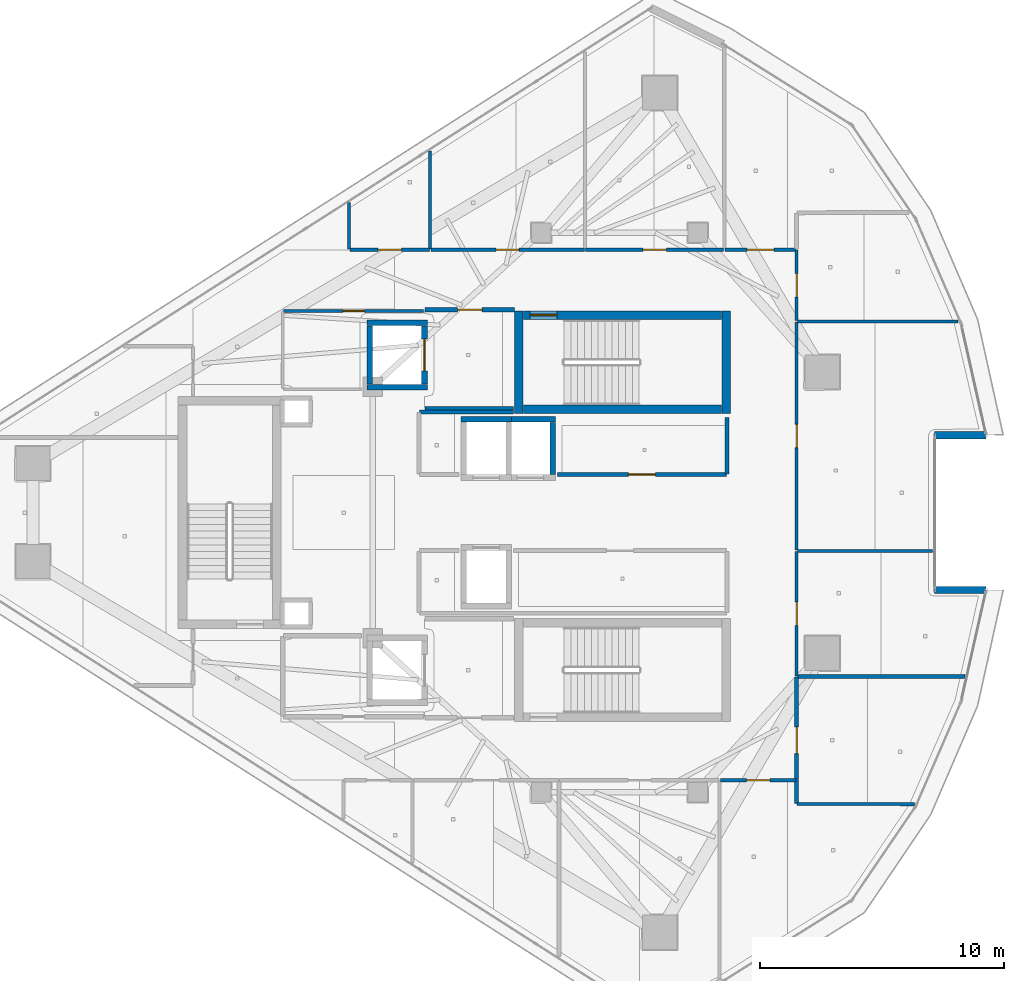
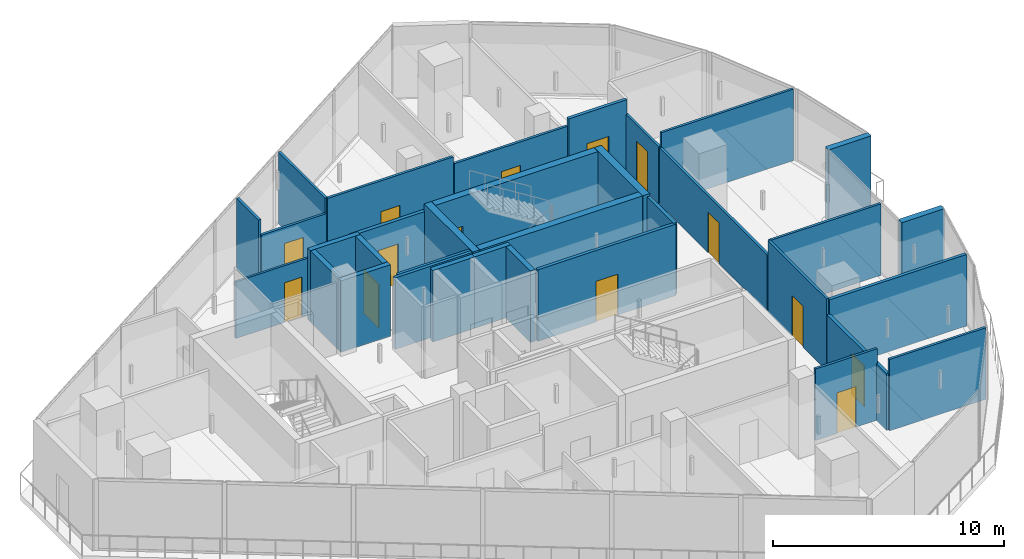
# One storey, part 19 of 26: 34 walls, 14 doors, 14 openings.
"""IFC4 building model written with IfcOpenShell, lengths in metres."""

from ifc_helpers import new_model, si_unit, direction, frame, frame_2d, origin, place, context, subcontext, project, spatial, rectangle, extrude, material, layer, layer_set, type_object, element, fill, save


model = new_model("IFC4")

# Units and contexts
model_context = context("Model", 3, precision=1e-05, world=origin(), true_north=direction((0.0, 1.0)))
body_context = subcontext(model_context, "Body", "Model", "MODEL_VIEW")
ifc_project = project(units=[si_unit("LENGTHUNIT", "METRE"), si_unit("AREAUNIT", "SQUARE_METRE"), si_unit("VOLUMEUNIT", "CUBIC_METRE"), si_unit("PLANEANGLEUNIT", "RADIAN"), si_unit("MASSUNIT", "GRAM", prefix="KILO")], contexts=[model_context])

# Site, building, storey
site_placement = place(None, origin())
site = spatial("IfcSite", under=ifc_project, at=site_placement, CompositionType="ELEMENT")
building_placement = place(site_placement, origin())
building = spatial("IfcBuilding", under=site, at=building_placement, Name="Qorvath Tower", CompositionType="ELEMENT")
storey_placement = place(building_placement, frame((0.0, 0.0, 322.800048828125)))
storey = spatial("IfcBuildingStorey", under=building, at=storey_placement, Name="L75", CompositionType="ELEMENT", Elevation=322.800048828125)

# Wall
ifc_material_1 = material(Name="Gypsum shaftliner on steel studs", Category="steel")
ifc_layer_1 = layer(ifc_material_1, 0.179931640625)
ifc_layer_set_1 = layer_set([ifc_layer_1], Name="FW-LOBBY")
wall_type_1 = type_object("IfcWallType", Name="FW-LOBBY", PredefinedType="PARTITIONING", material=ifc_layer_set_1)
wall_1_placement = place(storey_placement, frame((-28.35498046875, 4.25, 0.0), z_axis=(0.0, 0.0, 1.0), x_axis=(1.0, 0.0, 0.0)))
element("IfcWall", 1, at=wall_1_placement, inside=storey, type_object=wall_type_1, Name="Interior Partition IW-T1-L75-001", PredefinedType="PARTITIONING", context=body_context, shape_type="SweptSolid", body=[
    extrude(rectangle(XDim=3.6220703125, YDim=0.179931640625, at=frame_2d((1.81103515625, 0.0))), origin(), (0.0, 0.0, 1.0), 3.780029296875),
])

# Wall, opening, door
wall_2_placement = place(storey_placement, frame((-24.68408203125, 8.300048828125, 0.0), z_axis=(0.0, 0.0, 1.0), x_axis=(-1.0, 0.0, 0.0)))
wall_2 = element("IfcWall", 2, at=wall_2_placement, inside=storey, type_object=wall_type_1, Name="Interior Partition IW-T1-L75-002", PredefinedType="PARTITIONING", context=body_context, shape_type="SweptSolid", body=[
    extrude(rectangle(XDim=3.6708984375, YDim=0.179931640625, at=frame_2d((1.83544921875, 0.0))), origin(), (0.0, 0.0, 1.0), 3.39892578125),
])
opening_1_placement = place(wall_2_placement, frame((1.33544921875, 0.0, 0.0)))
opening_1 = element("IfcOpeningElement", 3, at=opening_1_placement, cuts=wall_2, Name="Opening D-T1-L75-01", PredefinedType="OPENING", context=body_context, shape_type="SweptSolid", body=[
    extrude(rectangle(XDim=1.0, YDim=2.14990234375, at=frame_2d((0.5, 1.074951171875))), frame((0.0, 0.10009765625, 0.0), z_axis=(0.0, -1.0, 0.0), x_axis=(1.0, 0.0, 0.0)), (0.0, 0.0, 1.0), 0.199951171875),
])
ifc_material_2 = material(Name="Painted galvanised hollow metal", Category="steel")
door_type_1 = type_object("IfcDoorType", Name="FD-60", OperationType="NOTDEFINED", PredefinedType="DOOR", material=ifc_material_2)
door_1_placement = place(opening_1_placement, origin())
door_1 = element("IfcDoor", 4, at=door_1_placement, inside=storey, type_object=door_type_1, Name="Lobby Fire Service Elevator North Door D-T1-L75-01", OperationType="SINGLE_SWING_LEFT", OverallHeight=2.14990234375, OverallWidth=1.0, PredefinedType="DOOR", context=body_context, shape_type="SweptSolid", body=[
    extrude(rectangle(XDim=1.0, YDim=2.14990234375, at=frame_2d((0.5, 1.074951171875))), frame((0.0, 0.02490234375, 0.0), z_axis=(0.0, -1.0, 0.0), x_axis=(1.0, 0.0, 0.0)), (0.0, 0.0, 1.0), 0.050048828125),
])
fill(opening_1, door_1)

ifc_material_3 = material(Name="Double acoustic gypsum board on steel studs", Category="steel")
ifc_layer_2 = layer(ifc_material_3, 0.159912109375)
ifc_layer_set_2 = layer_set([ifc_layer_2], Name="IW-ACOUSTIC-160")
wall_type_2 = type_object("IfcWallType", Name="IW-ACOUSTIC-160", PredefinedType="PARTITIONING", material=ifc_layer_set_2)
wall_3_placement = place(storey_placement, frame((-22.933837890625, 1.56005859375, 0.0), z_axis=(0.0, 0.0, 1.0), x_axis=(1.0, 0.0, 0.0)))
wall_3 = element("IfcWall", 5, at=wall_3_placement, inside=storey, type_object=wall_type_2, Name="Interior Partition IW-T1-L75-010", PredefinedType="PARTITIONING", context=body_context, shape_type="SweptSolid", body=[
    extrude(rectangle(XDim=6.908935546875, YDim=0.159912109375, at=frame_2d((3.45458984375, 0.0))), origin(), (0.0, 0.0, 1.0), 3.780029296875),
])
opening_2_placement = place(wall_3_placement, frame((2.904541015625, 0.0, 0.0)))
opening_2 = element("IfcOpeningElement", 6, at=opening_2_placement, cuts=wall_3, Name="Opening D-T1-L75-04", PredefinedType="OPENING", context=body_context, shape_type="SweptSolid", body=[
    extrude(rectangle(XDim=1.10009765625, YDim=2.14990234375, at=frame_2d((0.550048828125, 1.074951171875))), frame((0.0, 0.08984375, 0.0), z_axis=(0.0, -1.0, 0.0), x_axis=(1.0, 0.0, 0.0)), (0.0, 0.0, 1.0), 0.179931640625),
])
ifc_material_4 = material(Name="Anodised aluminium acoustic framed glass", Category="aluminium")
door_type_2 = type_object("IfcDoorType", Name="D-03", OperationType="NOTDEFINED", PredefinedType="DOOR", material=ifc_material_4)
door_2_placement = place(opening_2_placement, origin())
door_2 = element("IfcDoor", 7, at=door_2_placement, inside=storey, type_object=door_type_2, Name="L75-RCN North Executive Boardroom Door D-T1-L75-04", OperationType="SINGLE_SWING_RIGHT", OverallHeight=2.14990234375, OverallWidth=1.10009765625, PredefinedType="DOOR", context=body_context, shape_type="SweptSolid", body=[
    extrude(rectangle(XDim=1.10009765625, YDim=2.14990234375, at=frame_2d((0.550048828125, 1.074951171875))), frame((0.0, 0.02490234375, 0.0), z_axis=(0.0, -1.0, 0.0), x_axis=(1.0, 0.0, 0.0)), (0.0, 0.0, 1.0), 0.050048828125),
])
fill(opening_2, door_2)

# Walls
wall_4_placement = place(storey_placement, frame((-16.0, 1.585205078125, 0.0), z_axis=(0.0, 0.0, 1.0), x_axis=(0.0, 1.0, 0.0)))
element("IfcWall", 8, at=wall_4_placement, inside=storey, type_object=wall_type_2, Name="Interior Partition IW-T1-L75-011", PredefinedType="PARTITIONING", context=body_context, shape_type="SweptSolid", body=[
    extrude(rectangle(XDim=2.30224609375, YDim=0.159912109375, at=frame_2d((1.151123046875, 0.0))), origin(), (0.0, 0.0, 1.0), 3.780029296875),
])
wall_5_placement = place(storey_placement, frame((-24.73291015625, 4.1201171875, 0.0), z_axis=(0.0, 0.0, 1.0), x_axis=(-1.0, 0.0, 0.0)))
element("IfcWall", 9, at=wall_5_placement, inside=storey, type_object=wall_type_2, Name="Interior Partition IW-T1-L75-012", PredefinedType="PARTITIONING", context=body_context, shape_type="SweptSolid", body=[
    extrude(rectangle(XDim=3.84228515625, YDim=0.159912109375, at=frame_2d((1.921142578125, 0.0))), origin(), (0.0, 0.0, 1.0), 3.780029296875),
])

# Wall, opening, door
wall_6_placement = place(storey_placement, frame((-16.073486328125, 10.758056640625, 0.0), z_axis=(0.0, 0.0, 1.0), x_axis=(1.0, 0.0, 0.0)))
wall_6 = element("IfcWall", 10, at=wall_6_placement, inside=storey, type_object=wall_type_2, Name="Interior Partition IW-T1-L75-028", PredefinedType="PARTITIONING", context=body_context, shape_type="SweptSolid", body=[
    extrude(rectangle(XDim=2.898681640625, YDim=0.159912109375, at=frame_2d((1.44921875, 0.0))), origin(), (0.0, 0.0, 1.0), 3.780029296875),
])
opening_3_placement = place(wall_6_placement, frame((0.8994140625, 0.0, 0.0)))
opening_3 = element("IfcOpeningElement", 11, at=opening_3_placement, cuts=wall_6, Name="Opening D-T1-L75-10", PredefinedType="OPENING", context=body_context, shape_type="SweptSolid", body=[
    extrude(rectangle(XDim=1.10009765625, YDim=2.14990234375, at=frame_2d((0.550048828125, 1.074951171875))), frame((0.0, 0.08984375, 0.0), z_axis=(0.0, -1.0, 0.0), x_axis=(1.0, 0.0, 0.0)), (0.0, 0.0, 1.0), 0.179931640625),
])
door_3_placement = place(opening_3_placement, origin())
door_3 = element("IfcDoor", 12, at=door_3_placement, inside=storey, type_object=door_type_2, Name="L75-04 Digital Visualization Suite Door D-T1-L75-10", OperationType="SINGLE_SWING_RIGHT", OverallHeight=2.14990234375, OverallWidth=1.10009765625, PredefinedType="DOOR", context=body_context, shape_type="SweptSolid", body=[
    extrude(rectangle(XDim=1.10009765625, YDim=2.14990234375, at=frame_2d((0.550048828125, 1.074951171875))), frame((0.0, 0.02490234375, 0.0), z_axis=(0.0, -1.0, 0.0), x_axis=(1.0, 0.0, 0.0)), (0.0, 0.0, 1.0), 0.050048828125),
])
fill(opening_3, door_3)

# Wall
wall_7_placement = place(storey_placement, frame((-6.26171875, -6.71484375, 0.0), z_axis=(0.0, 0.0, 1.0), x_axis=(-1.0, 0.0, 0.0)))
element("IfcWall", 13, at=wall_7_placement, inside=storey, type_object=wall_type_2, Name="Interior Partition IW-T1-L75-040", PredefinedType="PARTITIONING", context=body_context, shape_type="SweptSolid", body=[
    extrude(rectangle(XDim=6.85546875, YDim=0.159912109375, at=frame_2d((3.427734375, 0.0))), origin(), (0.0, 0.0, 1.0), 3.780029296875),
])

# Wall, opening, door
wall_8_placement = place(storey_placement, frame((-13.14208984375, -6.73974609375, 0.0), z_axis=(0.0, 0.0, 1.0), x_axis=(0.0, -1.0, 0.0)))
wall_8 = element("IfcWall", 14, at=wall_8_placement, inside=storey, type_object=wall_type_2, Name="Interior Partition IW-T1-L75-041", PredefinedType="PARTITIONING", context=body_context, shape_type="SweptSolid", body=[
    extrude(rectangle(XDim=5.16015625, YDim=0.159912109375, at=frame_2d((2.580078125, 0.0))), origin(), (0.0, 0.0, 1.0), 3.0),
])
opening_4_placement = place(wall_8_placement, frame((2.030029296875, 0.0, 0.0)))
opening_4 = element("IfcOpeningElement", 15, at=opening_4_placement, cuts=wall_8, Name="Opening D-T1-L75-15", PredefinedType="OPENING", context=body_context, shape_type="SweptSolid", body=[
    extrude(rectangle(XDim=1.10009765625, YDim=2.14990234375, at=frame_2d((0.550048828125, 1.074951171875))), frame((0.0, 0.08984375, 0.0), z_axis=(0.0, -1.0, 0.0), x_axis=(1.0, 0.0, 0.0)), (0.0, 0.0, 1.0), 0.179931640625),
])
door_4_placement = place(opening_4_placement, origin())
door_4 = element("IfcDoor", 16, at=door_4_placement, inside=storey, type_object=door_type_2, Name="L75-09 Client Services Office Door D-T1-L75-15", OperationType="SINGLE_SWING_LEFT", OverallHeight=2.14990234375, OverallWidth=1.10009765625, PredefinedType="DOOR", context=body_context, shape_type="SweptSolid", body=[
    extrude(rectangle(XDim=1.10009765625, YDim=2.14990234375, at=frame_2d((0.550048828125, 1.074951171875))), frame((0.0, 0.02490234375, 0.0), z_axis=(0.0, -1.0, 0.0), x_axis=(1.0, 0.0, 0.0)), (0.0, 0.0, 1.0), 0.050048828125),
])
fill(opening_4, door_4)

ifc_material_5 = material(Name="Gypsum board on metal studs with mineral wool", Category="gypsum")
ifc_layer_3 = layer(ifc_material_5, 0.125)
ifc_layer_set_3 = layer_set([ifc_layer_3], Name="IW-PART-125")
wall_type_3 = type_object("IfcWallType", Name="IW-PART-125", PredefinedType="PARTITIONING", material=ifc_layer_set_3)
wall_9_placement = place(storey_placement, frame((-31.435791015625, 10.758056640625, 0.0), z_axis=(0.0, 0.0, 1.0), x_axis=(1.0, 0.0, 0.0)))
wall_9 = element("IfcWall", 17, at=wall_9_placement, inside=storey, type_object=wall_type_3, Name="Interior Partition IW-T1-L75-021", PredefinedType="PARTITIONING", context=body_context, shape_type="SweptSolid", body=[
    extrude(rectangle(XDim=3.263671875, YDim=0.125, at=frame_2d((1.6318359375, 0.0))), origin(), (0.0, 0.0, 1.0), 3.0),
])
opening_5_placement = place(wall_9_placement, frame((1.15673828125, 0.0, 0.0)))
opening_5 = element("IfcOpeningElement", 18, at=opening_5_placement, cuts=wall_9, Name="Opening D-T1-L75-07", PredefinedType="OPENING", context=body_context, shape_type="SweptSolid", body=[
    extrude(rectangle(XDim=0.949951171875, YDim=2.14990234375, at=frame_2d((0.47509765625, 1.074951171875))), frame((0.0, 0.072509765625, 0.0), z_axis=(0.0, -1.0, 0.0), x_axis=(1.0, 0.0, 0.0)), (0.0, 0.0, 1.0), 0.14501953125),
])
ifc_material_6 = material(Name="Solid-core American white oak veneer", Category="wood")
door_type_3 = type_object("IfcDoorType", Name="D-01", OperationType="NOTDEFINED", PredefinedType="DOOR", material=ifc_material_6)
door_5_placement = place(opening_5_placement, origin())
door_5 = element("IfcDoor", 19, at=door_5_placement, inside=storey, type_object=door_type_3, Name="L75-01 Project Collaboration Workspace Door D-T1-L75-07", OperationType="SINGLE_SWING_LEFT", OverallHeight=2.14990234375, OverallWidth=0.949951171875, PredefinedType="DOOR", context=body_context, shape_type="SweptSolid", body=[
    extrude(rectangle(XDim=0.949951171875, YDim=2.14990234375, at=frame_2d((0.47509765625, 1.074951171875))), frame((0.0, 0.02490234375, 0.0), z_axis=(0.0, -1.0, 0.0), x_axis=(1.0, 0.0, 0.0)), (0.0, 0.0, 1.0), 0.050048828125),
])
fill(opening_5, door_5)

# Walls
wall_10_placement = place(storey_placement, frame((-28.147216796875, 10.783203125, 0.0), z_axis=(0.0, 0.0, 1.0), x_axis=(0.0, 1.0, 0.0)))
element("IfcWall", 20, at=wall_10_placement, inside=storey, type_object=wall_type_3, Name="Interior Partition IW-T1-L75-022", PredefinedType="PARTITIONING", context=body_context, shape_type="SweptSolid", body=[
    extrude(rectangle(XDim=4.01953125, YDim=0.125, at=frame_2d((2.009765625, 0.0))), origin(), (0.0, 0.0, 1.0), 3.780029296875),
])
wall_11_placement = place(storey_placement, frame((-31.460693359375, 12.68505859375, 0.0), z_axis=(0.0, 0.0, 1.0), x_axis=(0.0, -1.0, 0.0)))
element("IfcWall", 21, at=wall_11_placement, inside=storey, type_object=wall_type_3, Name="Interior Partition IW-T1-L75-023", PredefinedType="PARTITIONING", context=body_context, shape_type="SweptSolid", body=[
    extrude(rectangle(XDim=1.90185546875, YDim=0.125, at=frame_2d((0.950927734375, 0.0))), origin(), (0.0, 0.0, 1.0), 3.780029296875),
])

# Wall, opening, door
wall_12_placement = place(storey_placement, frame((-28.114501953125, 10.758056640625, 0.0), z_axis=(0.0, 0.0, 1.0), x_axis=(1.0, 0.0, 0.0)))
wall_12 = element("IfcWall", 22, at=wall_12_placement, inside=storey, type_object=wall_type_3, Name="Interior Partition IW-T1-L75-024", PredefinedType="PARTITIONING", context=body_context, shape_type="SweptSolid", body=[
    extrude(rectangle(XDim=6.276611328125, YDim=0.125, at=frame_2d((3.13818359375, 0.0))), origin(), (0.0, 0.0, 1.0), 3.780029296875),
])
opening_6_placement = place(wall_12_placement, frame((2.663330078125, 0.0, 0.0)))
opening_6 = element("IfcOpeningElement", 23, at=opening_6_placement, cuts=wall_12, Name="Opening D-T1-L75-08", PredefinedType="OPENING", context=body_context, shape_type="SweptSolid", body=[
    extrude(rectangle(XDim=0.949951171875, YDim=2.14990234375, at=frame_2d((0.47509765625, 1.074951171875))), frame((0.0, 0.072509765625, 0.0), z_axis=(0.0, -1.0, 0.0), x_axis=(1.0, 0.0, 0.0)), (0.0, 0.0, 1.0), 0.14501953125),
])
door_6_placement = place(opening_6_placement, origin())
door_6 = element("IfcDoor", 24, at=door_6_placement, inside=storey, type_object=door_type_3, Name="L75-02 Staff Wellness Studio Door D-T1-L75-08", OperationType="SINGLE_SWING_RIGHT", OverallHeight=2.14990234375, OverallWidth=0.949951171875, PredefinedType="DOOR", context=body_context, shape_type="SweptSolid", body=[
    extrude(rectangle(XDim=0.949951171875, YDim=2.14990234375, at=frame_2d((0.47509765625, 1.074951171875))), frame((0.0, 0.02490234375, 0.0), z_axis=(0.0, -1.0, 0.0), x_axis=(1.0, 0.0, 0.0)), (0.0, 0.0, 1.0), 0.050048828125),
])
fill(opening_6, door_6)

wall_13_placement = place(storey_placement, frame((-21.77978515625, 10.758056640625, 0.0), z_axis=(0.0, 0.0, 1.0), x_axis=(1.0, 0.0, 0.0)))
wall_13 = element("IfcWall", 25, at=wall_13_placement, inside=storey, type_object=wall_type_3, Name="Interior Partition IW-T1-L75-026", PredefinedType="PARTITIONING", context=body_context, shape_type="SweptSolid", body=[
    extrude(rectangle(XDim=5.648681640625, YDim=0.125, at=frame_2d((2.82421875, 0.0))), origin(), (0.0, 0.0, 1.0), 3.39892578125),
])
opening_7_placement = place(wall_13_placement, frame((2.349365234375, 0.0, 0.0)))
opening_7 = element("IfcOpeningElement", 26, at=opening_7_placement, cuts=wall_13, Name="Opening D-T1-L75-09", PredefinedType="OPENING", context=body_context, shape_type="SweptSolid", body=[
    extrude(rectangle(XDim=0.949951171875, YDim=2.14990234375, at=frame_2d((0.47509765625, 1.074951171875))), frame((0.0, 0.072509765625, 0.0), z_axis=(0.0, -1.0, 0.0), x_axis=(1.0, 0.0, 0.0)), (0.0, 0.0, 1.0), 0.14501953125),
])
door_7_placement = place(opening_7_placement, origin())
door_7 = element("IfcDoor", 27, at=door_7_placement, inside=storey, type_object=door_type_3, Name="L75-03 Executive Partner Office Door D-T1-L75-09", OperationType="SINGLE_SWING_LEFT", OverallHeight=2.14990234375, OverallWidth=0.949951171875, PredefinedType="DOOR", context=body_context, shape_type="SweptSolid", body=[
    extrude(rectangle(XDim=0.949951171875, YDim=2.14990234375, at=frame_2d((0.47509765625, 1.074951171875))), frame((0.0, 0.02490234375, 0.0), z_axis=(0.0, -1.0, 0.0), x_axis=(1.0, 0.0, 0.0)), (0.0, 0.0, 1.0), 0.050048828125),
])
fill(opening_7, door_7)

# Wall
wall_14_placement = place(storey_placement, frame((-8.31640625, -11.939208984375, 0.0), z_axis=(0.0, 0.0, 1.0), x_axis=(-0.999999194448, 0.001269292235, 0.0)))
element("IfcWall", 28, at=wall_14_placement, inside=storey, type_object=wall_type_3, Name="Interior Partition IW-T1-L75-038", PredefinedType="PARTITIONING", context=body_context, shape_type="SweptSolid", body=[
    extrude(rectangle(XDim=4.80859375, YDim=0.125, at=frame_2d((2.404296875, 0.0))), origin(), (0.0, 0.0, 1.0), 3.780029296875),
])

# Wall, opening, door
wall_15_placement = place(storey_placement, frame((-13.1748046875, -10.9580078125, 0.0), z_axis=(0.0, 0.0, 1.0), x_axis=(-1.0, 0.0, 0.0)))
wall_15 = element("IfcWall", 29, at=wall_15_placement, inside=storey, type_object=wall_type_3, Name="Interior Partition IW-T1-L75-039", PredefinedType="PARTITIONING", context=body_context, shape_type="SweptSolid", body=[
    extrude(rectangle(XDim=3.0888671875, YDim=0.125, at=frame_2d((1.54443359375, 0.0))), origin(), (0.0, 0.0, 1.0), 3.780029296875),
])
opening_8_placement = place(wall_15_placement, frame((1.0693359375, 0.0, 0.0)))
opening_8 = element("IfcOpeningElement", 30, at=opening_8_placement, cuts=wall_15, Name="Opening D-T1-L75-14", PredefinedType="OPENING", context=body_context, shape_type="SweptSolid", body=[
    extrude(rectangle(XDim=0.949951171875, YDim=2.14990234375, at=frame_2d((0.47509765625, 1.074951171875))), frame((0.0, 0.072509765625, 0.0), z_axis=(0.0, -1.0, 0.0), x_axis=(1.0, 0.0, 0.0)), (0.0, 0.0, 1.0), 0.14501953125),
])
door_8_placement = place(opening_8_placement, origin())
door_8 = element("IfcDoor", 31, at=door_8_placement, inside=storey, type_object=door_type_3, Name="L75-08 Focus Collaboration Pod Door D-T1-L75-14", OperationType="SINGLE_SWING_RIGHT", OverallHeight=2.14990234375, OverallWidth=0.949951171875, PredefinedType="DOOR", context=body_context, shape_type="SweptSolid", body=[
    extrude(rectangle(XDim=0.949951171875, YDim=2.14990234375, at=frame_2d((0.47509765625, 1.074951171875))), frame((0.0, 0.02490234375, 0.0), z_axis=(0.0, -1.0, 0.0), x_axis=(1.0, 0.0, 0.0)), (0.0, 0.0, 1.0), 0.050048828125),
])
fill(opening_8, door_8)

# Wall
wall_16_placement = place(storey_placement, frame((-7.576904296875, -1.568115234375, 0.0), z_axis=(0.0, 0.0, 1.0), x_axis=(-1.0, 0.0, 0.0)))
element("IfcWall", 32, at=wall_16_placement, inside=storey, type_object=wall_type_3, Name="Interior Partition IW-T1-L75-042", PredefinedType="PARTITIONING", context=body_context, shape_type="SweptSolid", body=[
    extrude(rectangle(XDim=5.540283203125, YDim=0.125, at=frame_2d((2.77001953125, 0.0))), origin(), (0.0, 0.0, 1.0), 3.780029296875),
])

# Wall, opening, door
wall_17_placement = place(storey_placement, frame((-13.14208984375, -1.593017578125, 0.0), z_axis=(0.0, 0.0, 1.0), x_axis=(0.0, -1.0, 0.0)))
wall_17 = element("IfcWall", 33, at=wall_17_placement, inside=storey, type_object=wall_type_3, Name="Interior Partition IW-T1-L75-043", PredefinedType="PARTITIONING", context=body_context, shape_type="SweptSolid", body=[
    extrude(rectangle(XDim=5.0888671875, YDim=0.125, at=frame_2d((2.54443359375, 0.0))), origin(), (0.0, 0.0, 1.0), 3.780029296875),
])
opening_9_placement = place(wall_17_placement, frame((2.0693359375, 0.0, 0.0)))
opening_9 = element("IfcOpeningElement", 34, at=opening_9_placement, cuts=wall_17, Name="Opening D-T1-L75-16", PredefinedType="OPENING", context=body_context, shape_type="SweptSolid", body=[
    extrude(rectangle(XDim=0.949951171875, YDim=2.14990234375, at=frame_2d((0.47509765625, 1.074951171875))), frame((0.0, 0.072509765625, 0.0), z_axis=(0.0, -1.0, 0.0), x_axis=(1.0, 0.0, 0.0)), (0.0, 0.0, 1.0), 0.14501953125),
])
door_9_placement = place(opening_9_placement, origin())
door_9 = element("IfcDoor", 35, at=door_9_placement, inside=storey, type_object=door_type_3, Name="L75-10 Project Collaboration Workspace Door D-T1-L75-16", OperationType="SINGLE_SWING_RIGHT", OverallHeight=2.14990234375, OverallWidth=0.949951171875, PredefinedType="DOOR", context=body_context, shape_type="SweptSolid", body=[
    extrude(rectangle(XDim=0.949951171875, YDim=2.14990234375, at=frame_2d((0.47509765625, 1.074951171875))), frame((0.0, 0.02490234375, 0.0), z_axis=(0.0, -1.0, 0.0), x_axis=(1.0, 0.0, 0.0)), (0.0, 0.0, 1.0), 0.050048828125),
])
fill(opening_9, door_9)

# Wall
wall_18_placement = place(storey_placement, frame((-6.531494140625, 7.8232421875, 0.0), z_axis=(0.0, 0.0, 1.0), x_axis=(-0.999999751941, 0.00070435571, 0.0)))
element("IfcWall", 36, at=wall_18_placement, inside=storey, type_object=wall_type_3, Name="Interior Partition IW-T1-L75-044", PredefinedType="PARTITIONING", context=body_context, shape_type="SweptSolid", body=[
    extrude(rectangle(XDim=6.585693359375, YDim=0.125, at=frame_2d((3.29296875, 0.0))), origin(), (0.0, 0.0, 1.0), 3.780029296875),
])

# Wall, opening, door
wall_19_placement = place(storey_placement, frame((-13.14208984375, 7.802978515625, 0.0), z_axis=(0.0, 0.0, 1.0), x_axis=(0.0, -1.0, 0.0)))
wall_19 = element("IfcWall", 37, at=wall_19_placement, inside=storey, type_object=wall_type_3, Name="Interior Partition IW-T1-L75-045", PredefinedType="PARTITIONING", context=body_context, shape_type="SweptSolid", body=[
    extrude(rectangle(XDim=9.338134765625, YDim=0.125, at=frame_2d((4.6689453125, 0.0))), origin(), (0.0, 0.0, 1.0), 3.0),
])
opening_10_placement = place(wall_19_placement, frame((4.194091796875, 0.0, 0.0)))
opening_10 = element("IfcOpeningElement", 38, at=opening_10_placement, cuts=wall_19, Name="Opening D-T1-L75-17", PredefinedType="OPENING", context=body_context, shape_type="SweptSolid", body=[
    extrude(rectangle(XDim=0.949951171875, YDim=2.14990234375, at=frame_2d((0.47509765625, 1.074951171875))), frame((0.0, 0.072509765625, 0.0), z_axis=(0.0, -1.0, 0.0), x_axis=(1.0, 0.0, 0.0)), (0.0, 0.0, 1.0), 0.14501953125),
])
door_10_placement = place(opening_10_placement, origin())
door_10 = element("IfcDoor", 39, at=door_10_placement, inside=storey, type_object=door_type_3, Name="L75-11 Staff Wellness Studio Door D-T1-L75-17", OperationType="SINGLE_SWING_LEFT", OverallHeight=2.14990234375, OverallWidth=0.949951171875, PredefinedType="DOOR", context=body_context, shape_type="SweptSolid", body=[
    extrude(rectangle(XDim=0.949951171875, YDim=2.14990234375, at=frame_2d((0.47509765625, 1.074951171875))), frame((0.0, 0.02490234375, 0.0), z_axis=(0.0, -1.0, 0.0), x_axis=(1.0, 0.0, 0.0)), (0.0, 0.0, 1.0), 0.050048828125),
])
fill(opening_10, door_10)

wall_20_placement = place(storey_placement, frame((-13.14208984375, 10.75830078125, 0.0), z_axis=(0.0, 0.0, 1.0), x_axis=(0.0, -1.0, 0.0)))
wall_20 = element("IfcWall", 40, at=wall_20_placement, inside=storey, type_object=wall_type_3, Name="Interior Partition IW-T1-L75-046", PredefinedType="PARTITIONING", context=body_context, shape_type="SweptSolid", body=[
    extrude(rectangle(XDim=2.8974609375, YDim=0.125, at=frame_2d((1.44873046875, 0.0))), origin(), (0.0, 0.0, 1.0), 3.0),
])
opening_11_placement = place(wall_20_placement, frame((0.9736328125, 0.0, 0.0)))
opening_11 = element("IfcOpeningElement", 41, at=opening_11_placement, cuts=wall_20, Name="Opening D-T1-L75-18", PredefinedType="OPENING", context=body_context, shape_type="SweptSolid", body=[
    extrude(rectangle(XDim=0.949951171875, YDim=2.14990234375, at=frame_2d((0.47509765625, 1.074951171875))), frame((0.0, 0.072509765625, 0.0), z_axis=(0.0, -1.0, 0.0), x_axis=(1.0, 0.0, 0.0)), (0.0, 0.0, 1.0), 0.14501953125),
])
door_11_placement = place(opening_11_placement, origin())
door_11 = element("IfcDoor", 42, at=door_11_placement, inside=storey, type_object=door_type_3, Name="L75-12 Executive Partner Office Door D-T1-L75-18", OperationType="SINGLE_SWING_RIGHT", OverallHeight=2.14990234375, OverallWidth=0.949951171875, PredefinedType="DOOR", context=body_context, shape_type="SweptSolid", body=[
    extrude(rectangle(XDim=0.949951171875, YDim=2.14990234375, at=frame_2d((0.47509765625, 1.074951171875))), frame((0.0, 0.02490234375, 0.0), z_axis=(0.0, -1.0, 0.0), x_axis=(1.0, 0.0, 0.0)), (0.0, 0.0, 1.0), 0.050048828125),
])
fill(opening_11, door_11)

ifc_material_7 = material(Name="Moisture-resistant cement board on metal studs", Category="gypsum")
ifc_layer_4 = layer(ifc_material_7, 0.110107421875)
ifc_layer_set_4 = layer_set([ifc_layer_4], Name="IW-WC-110")
wall_type_4 = type_object("IfcWallType", Name="IW-WC-110", PredefinedType="PARTITIONING", material=ifc_layer_set_4)
wall_21_placement = place(storey_placement, frame((-28.412841796875, 8.25, 0.0), z_axis=(0.0, 0.0, 1.0), x_axis=(-1.0, 0.0, 0.0)))
wall_21 = element("IfcWall", 43, at=wall_21_placement, inside=storey, type_object=wall_type_4, Name="Interior Partition IW-T1-L75-007", PredefinedType="PARTITIONING", context=body_context, shape_type="SweptSolid", body=[
    extrude(rectangle(XDim=5.741943359375, YDim=0.110107421875, at=frame_2d((2.87109375, 0.0))), origin(), (0.0, 0.0, 1.0), 3.0),
])
opening_12_placement = place(wall_21_placement, frame((2.430908203125, 0.0, 0.0)))
opening_12 = element("IfcOpeningElement", 44, at=opening_12_placement, cuts=wall_21, Name="Opening D-T1-L75-03", PredefinedType="OPENING", context=body_context, shape_type="SweptSolid", body=[
    extrude(rectangle(XDim=0.8798828125, YDim=2.10009765625, at=frame_2d((0.43994140625, 1.050048828125))), frame((0.0, 0.06494140625, 0.0), z_axis=(0.0, -1.0, 0.0), x_axis=(1.0, 0.0, 0.0)), (0.0, 0.0, 1.0), 0.130126953125),
])
ifc_material_8 = material(Name="Solid-core oak with acoustic drop seal", Category="wood")
door_type_4 = type_object("IfcDoorType", Name="D-02", OperationType="NOTDEFINED", PredefinedType="DOOR", material=ifc_material_8)
door_12_placement = place(opening_12_placement, origin())
door_12 = element("IfcDoor", 45, at=door_12_placement, inside=storey, type_object=door_type_4, Name="Accessible WC North L75 Door D-T1-L75-03", OperationType="SINGLE_SWING_LEFT", OverallHeight=2.10009765625, OverallWidth=0.8798828125, PredefinedType="DOOR", context=body_context, shape_type="SweptSolid", body=[
    extrude(rectangle(XDim=0.8798828125, YDim=2.10009765625, at=frame_2d((0.43994140625, 1.050048828125))), frame((0.0, 0.02490234375, 0.0), z_axis=(0.0, -1.0, 0.0), x_axis=(1.0, 0.0, 0.0)), (0.0, 0.0, 1.0), 0.050048828125),
])
fill(opening_12, door_12)

# Walls
ifc_material_9 = material(Name="Concrete C60/75", Category="concrete")
ifc_layer_5 = layer(ifc_material_9, 0.260009765625)
ifc_layer_set_5 = layer_set([ifc_layer_5], Name="SW-SHAFT")
wall_type_5 = type_object("IfcWallType", Name="SW-SHAFT", PredefinedType="SHEAR", material=ifc_layer_set_5)
for number, where, z_axis, x_axis, name in (
    (46, (-28.260009765625, 5.1298828125, 0.0), (0.0, 0.0, 1.0), (-1.0, 0.0, 0.0), "Hoistway Wall FSAE-1 L75 S"),
    (47, (-30.739990234375, 7.77001953125, 0.0), (0.0, 0.0, 1.0), (1.0, 0.0, 0.0), "Hoistway Wall FSAE-1 L75 N"),
):
    element("IfcWall", number, at=place(storey_placement, frame(where, z_axis=z_axis, x_axis=x_axis)), inside=storey, type_object=wall_type_5, Name=name, PredefinedType="SHEAR", context=body_context, shape_type="SweptSolid", body=[
        extrude(rectangle(XDim=2.47998046875, YDim=0.239990234375, at=frame_2d((1.239990234375, 0.0))), origin(), (0.0, 0.0, 1.0), 3.780029296875),
    ])
wall_22_placement = place(storey_placement, frame((-30.6201171875, 5.261962890625, 0.0), z_axis=(0.0, 0.0, 1.0), x_axis=(0.0, 1.0, 0.0)))
element("IfcWall", 48, at=wall_22_placement, inside=storey, type_object=wall_type_5, Name="Hoistway Wall FSAE-1 L75 W", PredefinedType="SHEAR", context=body_context, shape_type="SweptSolid", body=[
    extrude(rectangle(XDim=2.3759765625, YDim=0.239990234375, at=frame_2d((1.18798828125, 0.0))), origin(), (0.0, 0.0, 1.0), 3.780029296875),
])

# Wall, opening, door
wall_23_placement = place(storey_placement, frame((-28.3798828125, 7.637939453125, 0.0), z_axis=(0.0, 0.0, 1.0), x_axis=(0.0, -1.0, 0.0)))
wall_23 = element("IfcWall", 49, at=wall_23_placement, inside=storey, type_object=wall_type_5, Name="Hoistway Wall FSAE-1 L75 E", PredefinedType="SHEAR", context=body_context, shape_type="SweptSolid", body=[
    extrude(rectangle(XDim=2.3759765625, YDim=0.239990234375, at=frame_2d((1.18798828125, 0.0))), origin(), (0.0, 0.0, 1.0), 3.780029296875),
])
opening_13_placement = place(wall_23_placement, frame((0.537841796875, 0.0, 0.0)))
opening_13 = element("IfcOpeningElement", 50, at=opening_13_placement, cuts=wall_23, Name="Opening LD-FSAE-1-L75", PredefinedType="OPENING", context=body_context, shape_type="SweptSolid", body=[
    extrude(rectangle(XDim=1.300048828125, YDim=2.300048828125, at=frame_2d((0.64990234375, 1.14990234375))), frame((0.0, 0.1298828125, 0.0), z_axis=(0.0, -1.0, 0.0), x_axis=(1.0, 0.0, 0.0)), (0.0, 0.0, 1.0), 0.260009765625),
])
ifc_material_10 = material(Name="Brushed stainless steel AISI 316", Category="steel")
door_type_5 = type_object("IfcDoorType", Name="LD-02", OperationType="NOTDEFINED", PredefinedType="DOOR", material=ifc_material_10)
door_13_placement = place(opening_13_placement, origin())
door_13 = element("IfcDoor", 51, at=door_13_placement, inside=storey, type_object=door_type_5, Name="Elevator Landing Sliding Door LD-FSAE-1-L75", OperationType="DOUBLE_DOOR_SLIDING", OverallHeight=2.300048828125, OverallWidth=1.300048828125, PredefinedType="DOOR", context=body_context, shape_type="SweptSolid", body=[
    extrude(rectangle(XDim=1.300048828125, YDim=2.300048828125, at=frame_2d((0.64990234375, 1.14990234375))), frame((0.0, 0.02490234375, 0.0), z_axis=(0.0, -1.0, 0.0), x_axis=(1.0, 0.0, 0.0)), (0.0, 0.0, 1.0), 0.050048828125),
])
fill(opening_13, door_13)

# Walls
wall_24_placement = place(storey_placement, frame((-26.889892578125, 3.820068359375, 0.0), z_axis=(0.0, 0.0, 1.0), x_axis=(1.0, 0.0, 0.0)))
element("IfcWall", 52, at=wall_24_placement, inside=storey, type_object=wall_type_5, Name="Hoistway Wall PH-1 L75 N", PredefinedType="SHEAR", context=body_context, shape_type="SweptSolid", body=[
    extrude(rectangle(XDim=2.079833984375, YDim=0.239990234375, at=frame_2d((1.0400390625, 0.0))), origin(), (0.0, 0.0, 1.0), 3.780029296875),
])
wall_25_placement = place(storey_placement, frame((-24.81005859375, 3.820068359375, 0.0), z_axis=(0.0, 0.0, 1.0), x_axis=(1.0, 0.0, 0.0)))
element("IfcWall", 53, at=wall_25_placement, inside=storey, type_object=wall_type_5, Name="Hoistway Wall PH-2 L75 N", PredefinedType="SHEAR", context=body_context, shape_type="SweptSolid", body=[
    extrude(rectangle(XDim=1.800048828125, YDim=0.239990234375, at=frame_2d((0.89990234375, 0.0))), origin(), (0.0, 0.0, 1.0), 3.780029296875),
])
wall_26_placement = place(storey_placement, frame((-23.1298828125, 3.68798828125, 0.0), z_axis=(0.0, 0.0, 1.0), x_axis=(0.0, -1.0, 0.0)))
element("IfcWall", 54, at=wall_26_placement, inside=storey, type_object=wall_type_5, Name="Hoistway Wall PH-2 L75 E", PredefinedType="SHEAR", context=body_context, shape_type="SweptSolid", body=[
    extrude(rectangle(XDim=2.1259765625, YDim=0.239990234375, at=frame_2d((1.06298828125, 0.0))), origin(), (0.0, 0.0, 1.0), 3.780029296875),
])
ifc_material_11 = material(Name="Concrete C60/75", Category="concrete")
ifc_layer_6 = layer(ifc_material_11, 0.35009765625)
ifc_layer_set_6 = layer_set([ifc_layer_6], Name="SW-STAIR")
wall_type_6 = type_object("IfcWallType", Name="SW-STAIR", PredefinedType="SHEAR", material=ifc_layer_set_6)
for number, where, z_axis, x_axis, name in (
    (55, (-24.52490234375, 8.260009765625, 0.0), (0.0, 0.0, 1.0), (0.0, -1.0, 0.0), "Stair TS1 Shear Wall L75 NEAR"),
    (56, (-16.02490234375, 4.050048828125, 0.0), (0.0, 0.0, 1.0), (0.0, 1.0, 0.0), "Stair TS1 Shear Wall L75 FAR"),
):
    element("IfcWall", number, at=place(storey_placement, frame(where, z_axis=z_axis, x_axis=x_axis)), inside=storey, type_object=wall_type_6, Name=name, PredefinedType="SHEAR", context=body_context, shape_type="SweptSolid", body=[
        extrude(rectangle(XDim=4.2099609375, YDim=0.35009765625, at=frame_2d((2.10498046875, 0.0))), origin(), (0.0, 0.0, 1.0), 3.780029296875),
    ])
wall_27_placement = place(storey_placement, frame((-24.3349609375, 4.22509765625, 0.0), z_axis=(0.0, 0.0, 1.0), x_axis=(1.0, 0.0, 0.0)))
element("IfcWall", 57, at=wall_27_placement, inside=storey, type_object=wall_type_6, Name="Stair TS1 Shear Wall L75 LEFT", PredefinedType="SHEAR", context=body_context, shape_type="SweptSolid", body=[
    extrude(rectangle(XDim=8.119873046875, YDim=0.35009765625, at=frame_2d((4.06005859375, 0.0))), origin(), (0.0, 0.0, 1.0), 3.780029296875),
])

# Wall, opening, door
wall_28_placement = place(storey_placement, frame((-16.215087890625, 8.0849609375, 0.0), z_axis=(0.0, 0.0, 1.0), x_axis=(-1.0, 0.0, 0.0)))
wall_28 = element("IfcWall", 58, at=wall_28_placement, inside=storey, type_object=wall_type_6, Name="Stair TS1 Shear Wall L75 RIGHT", PredefinedType="SHEAR", context=body_context, shape_type="SweptSolid", body=[
    extrude(rectangle(XDim=8.119873046875, YDim=0.35009765625, at=frame_2d((4.06005859375, 0.0))), origin(), (0.0, 0.0, 1.0), 3.780029296875),
])
opening_14_placement = place(wall_28_placement, frame((6.739990234375, 0.0, 0.0)))
opening_14 = element("IfcOpeningElement", 59, at=opening_14_placement, cuts=wall_28, Name="Opening D-TS1-L75", PredefinedType="OPENING", context=body_context, shape_type="SweptSolid", body=[
    extrude(rectangle(XDim=1.10009765625, YDim=2.199951171875, at=frame_2d((0.550048828125, 1.10009765625))), frame((0.0, 0.18505859375, 0.0), z_axis=(0.0, -1.0, 0.0), x_axis=(1.0, 0.0, 0.0)), (0.0, 0.0, 1.0), 0.3701171875),
])
ifc_material_12 = material(Name="Painted galvanised hollow metal", Category="steel")
door_type_6 = type_object("IfcDoorType", Name="FD-90", OperationType="NOTDEFINED", PredefinedType="DOOR", material=ifc_material_12)
door_14_placement = place(opening_14_placement, origin())
door_14 = element("IfcDoor", 60, at=door_14_placement, inside=storey, type_object=door_type_6, Name="Stair TS1 Fire Door L75", OperationType="SINGLE_SWING_RIGHT", OverallHeight=2.199951171875, OverallWidth=1.10009765625, PredefinedType="DOOR", context=body_context, shape_type="SweptSolid", body=[
    extrude(rectangle(XDim=1.10009765625, YDim=2.199951171875, at=frame_2d((0.550048828125, 1.10009765625))), frame((0.0, 0.02490234375, 0.0), z_axis=(0.0, -1.0, 0.0), x_axis=(1.0, 0.0, 0.0)), (0.0, 0.0, 1.0), 0.050048828125),
])
fill(opening_14, door_14)

# Walls
ifc_material_13 = material(Name="Precast concrete C45/55", Category="concrete")
ifc_layer_7 = layer(ifc_material_13, 0.300048828125)
ifc_layer_set_7 = layer_set([ifc_layer_7], Name="WL-EW-LOG-300")
wall_type_7 = type_object("IfcWallType", Name="WL-EW-LOG-300", PredefinedType="SOLIDWALL", material=ifc_layer_set_7)
for number, where, z_axis, x_axis, name in (
    (61, (-5.383544921875, -3.169921875, 0.0), (0.0, 0.0, 1.0), (-1.0, 0.0, 0.0), "Tower Precast Loggia Wall L75-8.1"),
    (62, (-7.496826171875, 3.169921875, 0.0), (0.0, 0.0, 1.0), (1.0, 0.0, 0.0), "Tower Precast Loggia Wall L75-10.1"),
):
    element("IfcWall", number, at=place(storey_placement, frame(where, z_axis=z_axis, x_axis=x_axis)), inside=storey, type_object=wall_type_7, Name=name, PredefinedType="SOLIDWALL", context=body_context, shape_type="SweptSolid", body=[
        extrude(rectangle(XDim=2.11328125, YDim=0.300048828125, at=frame_2d((1.056640625, 0.0))), origin(), (0.0, 0.0, 1.0), 3.780029296875),
    ])

save(model, "model.ifc")
